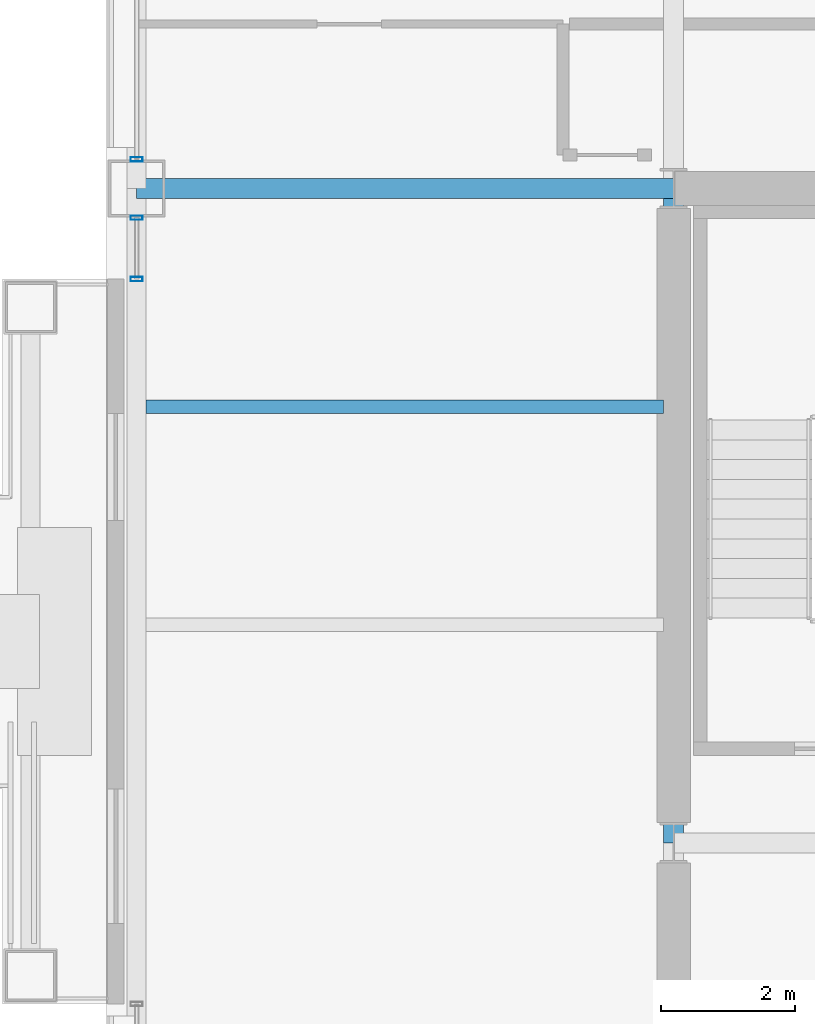
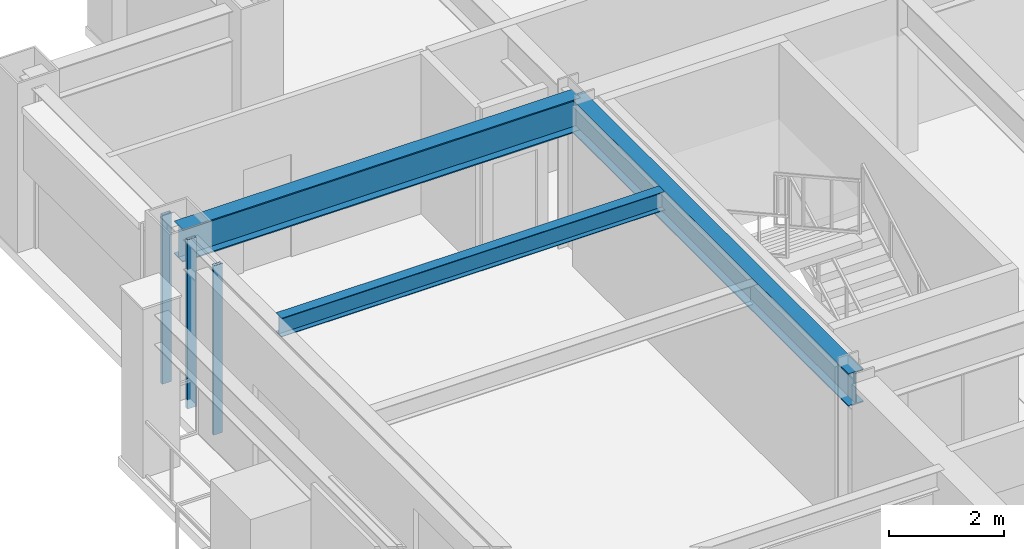
# One storey, part 9 of 29: 3 beams, 3 members, 2 elements without a shape of their own.
"""IFC4 building model written with IfcOpenShell, lengths in metres."""

from ifc_helpers import new_model, si_unit, direction, frame, origin, origin_2d, place, context, subcontext, project, spatial, hollow_rectangle, i_section, extrude, material, layer, layer_set, material_profile, profile_set, type_object, element, aggregate, save


model = new_model("IFC4")

# Units and contexts
model_context = context("Model", 3, precision=1e-05, world=origin(), true_north=direction((0.0, 1.0)))
body_context = subcontext(model_context, "Body", "Model", "MODEL_VIEW")
ifc_project = project(units=[si_unit("LENGTHUNIT", "METRE"), si_unit("AREAUNIT", "SQUARE_METRE"), si_unit("VOLUMEUNIT", "CUBIC_METRE"), si_unit("PLANEANGLEUNIT", "RADIAN"), si_unit("MASSUNIT", "GRAM", prefix="KILO")], contexts=[model_context])

# Site, building, storey
site_placement = place(None, origin())
site = spatial("IfcSite", under=ifc_project, at=site_placement, CompositionType="ELEMENT")
building_placement = place(site_placement, origin())
building = spatial("IfcBuilding", under=site, at=building_placement, Name="Brelmoor Portico Tower", CompositionType="ELEMENT")
storey_placement = place(building_placement, frame((0.0, 0.0, 95.39990234375)))
storey = spatial("IfcBuildingStorey", under=building, at=storey_placement, Name="L24", CompositionType="ELEMENT", Elevation=95.39990234375)

# Beams
ifc_material_1 = material(Name="Steel Q355B", Category="steel")
ifc_material_profile_1 = material_profile(ifc_material_1, i_section(OverallWidth=0.199951171875, OverallDepth=0.39990234375, WebThickness=0.008056640625, FlangeThickness=0.012939453125, at=origin_2d()), Name="HN 400x200x8x13")
ifc_profile_set_1 = profile_set([ifc_material_profile_1], Name="Steel Q355B")
beam_type_1 = type_object("IfcBeamType", Name="BM-JS-400", PredefinedType="JOIST", material=ifc_profile_set_1)
beam_1_placement = place(storey_placement, frame((-22.409912109375, 6.5, 3.2001953125), z_axis=(1.0, 0.0, 0.0), x_axis=(0.0, 1.0, 0.0)))
element("IfcBeam", 1, at=beam_1_placement, inside=storey, type_object=beam_type_1, Name="L24 Secondary Wing Joist JS-W08", PredefinedType="JOIST", context=body_context, shape_type="SweptSolid", body=[
    extrude(i_section(OverallWidth=0.199951171875, OverallDepth=0.39990234375, WebThickness=0.008056640625, FlangeThickness=0.012939453125, at=origin_2d()), origin(), (0.0, 0.0, 1.0), 7.7099609375),
])
ifc_material_profile_2 = material_profile(ifc_material_1, i_section(OverallWidth=0.300048828125, OverallDepth=0.699951171875, WebThickness=0.012939453125, FlangeThickness=0.02392578125, at=origin_2d()), Name="HN 700x300x13x24")
ifc_profile_set_2 = profile_set([ifc_material_profile_2], Name="Steel Q355B")
beam_type_2 = type_object("IfcBeamType", Name="BM-PG-700", PredefinedType="BEAM", material=ifc_profile_set_2)
beam_2_placement = place(storey_placement, frame((-14.550048828125, 0.0, 3.050048828125), z_axis=(0.0, 1.0, 0.0), x_axis=(-1.0, 0.0, 0.0)))
element("IfcBeam", 2, at=beam_2_placement, inside=storey, type_object=beam_type_2, Name="L24 Primary Floor Girder PG-03", PredefinedType="BEAM", context=body_context, shape_type="SweptSolid", body=[
    extrude(i_section(OverallWidth=0.300048828125, OverallDepth=0.699951171875, WebThickness=0.012939453125, FlangeThickness=0.02392578125, at=origin_2d()), origin(), (0.0, 0.0, 1.0), 9.75),
])
beam_3_placement = place(storey_placement, frame((-22.550048828125, 9.75, 3.050048828125), z_axis=(1.0, 0.0, 0.0), x_axis=(0.0, 1.0, 0.0)))
element("IfcBeam", 3, at=beam_3_placement, inside=storey, type_object=beam_type_2, Name="L24 Primary Floor Girder PG-22", PredefinedType="BEAM", context=body_context, shape_type="SweptSolid", body=[
    extrude(i_section(OverallWidth=0.300048828125, OverallDepth=0.699951171875, WebThickness=0.012939453125, FlangeThickness=0.02392578125, at=origin_2d()), origin(), (0.0, 0.0, 1.0), 8.0),
])

# Curtain wall, members
ifc_material_2 = material(Name="Anodised Aluminium Alloy 6063-T6", Category="aluminium")
ifc_layer_1 = layer(ifc_material_2, 0.179931640625)
ifc_layer_set_1 = layer_set([ifc_layer_1], Name="Anodised Aluminium Alloy 6063-T6")
curtain_wall_type_1 = type_object("IfcCurtainWallType", Name="CW-TOWER-Z2", PredefinedType="NOTDEFINED", material=ifc_layer_set_1)
curtain_wall_1_placement = place(storey_placement, origin())
curtain_wall_1 = element("IfcCurtainWall", 4, at=curtain_wall_1_placement, inside=storey, type_object=curtain_wall_type_1, Name="L24 Curtain Wall CW-L24-3R-1", PredefinedType="NOTDEFINED")
ifc_material_profile_3 = material_profile(ifc_material_2, hollow_rectangle(XDim=0.06494140625, YDim=0.179931640625, WallThickness=0.00390625, at=origin_2d()), Name="ALU MULLION 65x180")
ifc_profile_set_3 = profile_set([ifc_material_profile_3], Name="Anodised Aluminium Alloy 6063-T6")
member_type = type_object("IfcMemberType", Name="MB-CW-MULL-180", PredefinedType="MULLION", material=ifc_profile_set_3)
member_1_placement = place(storey_placement, frame((-22.550048828125, 8.39990234375, -0.199951171875), z_axis=(0.0, 0.0, 1.0), x_axis=(0.0, 1.0, 0.0)))
member_1 = element("IfcMember", 5, at=member_1_placement, type_object=member_type, Name="CW-L24-3R-1 Mullion 00", PredefinedType="MULLION", context=body_context, shape_type="SweptSolid", body=[
    extrude(hollow_rectangle(XDim=0.06494140625, YDim=0.179931640625, WallThickness=0.00390625, at=origin_2d()), origin(), (0.0, 0.0, 1.0), 3.60009765625),
])
member_2_placement = place(storey_placement, frame((-22.550048828125, 9.31494140625, -0.199951171875), z_axis=(0.0, 0.0, 1.0), x_axis=(0.0, 1.0, 0.0)))
member_2 = element("IfcMember", 6, at=member_2_placement, type_object=member_type, Name="CW-L24-3R-1 Mullion 01", PredefinedType="MULLION", context=body_context, shape_type="SweptSolid", body=[
    extrude(hollow_rectangle(XDim=0.06494140625, YDim=0.179931640625, WallThickness=0.00390625, at=origin_2d()), origin(), (0.0, 0.0, 1.0), 3.60009765625),
])
aggregate(curtain_wall_1, [member_1, member_2])

# Curtain wall, member
ifc_layer_2 = layer(ifc_material_2, 0.179931640625)
ifc_layer_set_2 = layer_set([ifc_layer_2], Name="Anodised Aluminium Alloy 6063-T6")
curtain_wall_type_2 = type_object("IfcCurtainWallType", Name="CW-TOWER-Z2-XB", PredefinedType="NOTDEFINED", material=ifc_layer_set_2)
curtain_wall_2_placement = place(storey_placement, origin())
curtain_wall_2 = element("IfcCurtainWall", 7, at=curtain_wall_2_placement, inside=storey, type_object=curtain_wall_type_2, Name="L24 Curtain Wall CW-L24-3R-2", PredefinedType="NOTDEFINED")
member_3_placement = place(storey_placement, frame((-22.550048828125, 10.18505859375, -0.199951171875), z_axis=(0.0, 0.0, 1.0), x_axis=(0.0, 1.0, 0.0)))
member_3 = element("IfcMember", 8, at=member_3_placement, type_object=member_type, Name="CW-L24-3R-2 Mullion 00", PredefinedType="MULLION", context=body_context, shape_type="SweptSolid", body=[
    extrude(hollow_rectangle(XDim=0.06494140625, YDim=0.179931640625, WallThickness=0.00390625, at=origin_2d()), origin(), (0.0, 0.0, 1.0), 3.60009765625),
])
aggregate(curtain_wall_2, [member_3])

save(model, "model.ifc")
